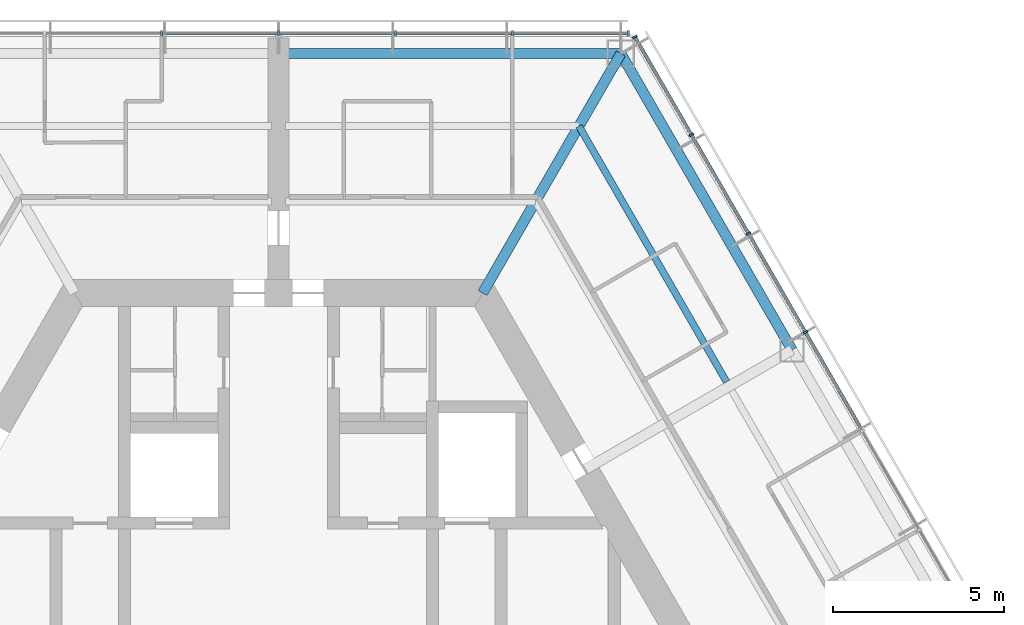
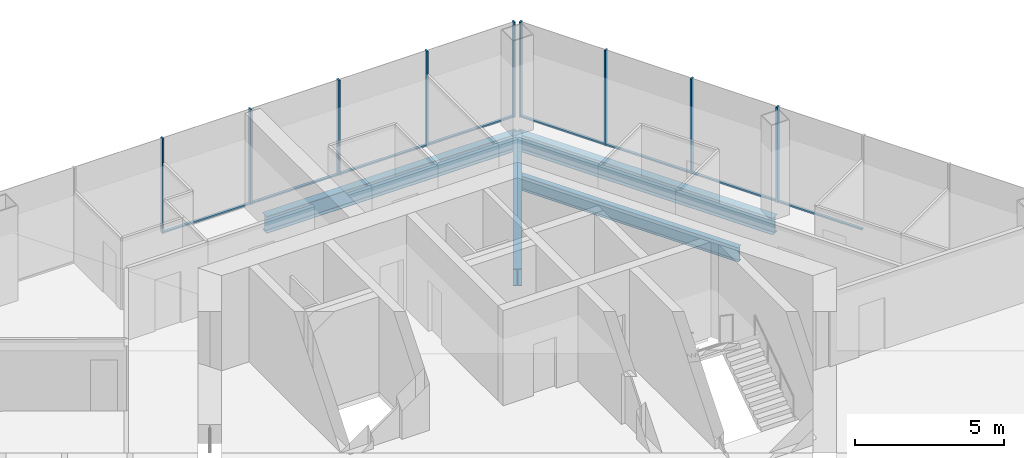
# One storey, part 7 of 15: 17 members, 4 beams, 2 elements without a shape of their own.
"""IFC4 building model written with IfcOpenShell, lengths in metres."""

from ifc_helpers import new_model, si_unit, direction, frame, origin, origin_2d, place, context, subcontext, project, spatial, rectangle, i_section, extrude, material, material_profile, profile_set, type_object, element, aggregate, save


model = new_model("IFC4")

# Units and contexts
model_context = context("Model", 3, precision=1e-05, world=origin(), true_north=direction((0.0, 1.0)))
body_context = subcontext(model_context, "Body", "Model", "MODEL_VIEW")
ifc_project = project(units=[si_unit("LENGTHUNIT", "METRE"), si_unit("AREAUNIT", "SQUARE_METRE"), si_unit("VOLUMEUNIT", "CUBIC_METRE"), si_unit("PLANEANGLEUNIT", "RADIAN"), si_unit("MASSUNIT", "GRAM", prefix="KILO")], contexts=[model_context])

# Site, building, storey
site_placement = place(None, origin())
site = spatial("IfcSite", under=ifc_project, at=site_placement, CompositionType="ELEMENT")
building_placement = place(site_placement, origin())
building = spatial("IfcBuilding", under=site, at=building_placement, Name="Kasaneha Research Tower", CompositionType="ELEMENT")
storey_placement = place(building_placement, frame((0.0, 0.0, 220.60009765625)))
storey = spatial("IfcBuildingStorey", under=building, at=storey_placement, Name="L55", CompositionType="ELEMENT", Elevation=220.60009765625)

# Beam
ifc_material_1 = material(Name="Steel SN490B", Category="steel")
ifc_material_profile_1 = material_profile(ifc_material_1, i_section(OverallWidth=0.199951171875, OverallDepth=0.60009765625, WebThickness=0.010986328125, FlangeThickness=0.01708984375, FilletRadius=0.012939453125, at=origin_2d()), Name="H-600x200x11x17")
ifc_profile_set_1 = profile_set([ifc_material_profile_1], Name="Steel SN490B")
beam_type_1 = type_object("IfcBeamType", Name="B1-3 secondary beam H-600x200x11x17", PredefinedType="JOIST", material=ifc_profile_set_1)
beam_1_placement = place(storey_placement, frame((8.775634765625, 15.199951171875, -0.4501953125), z_axis=(0.500017275495, -0.866015429543, 0.0), x_axis=(0.866015429543, 0.500017275495, 0.0)))
element("IfcBeam", 1, at=beam_1_placement, inside=storey, type_object=beam_type_1, Name="Secondary beam RS030R2 L55", PredefinedType="JOIST", context=body_context, shape_type="SweptSolid", body=[
    extrude(i_section(OverallWidth=0.199951171875, OverallDepth=0.60009765625, WebThickness=0.010986328125, FlangeThickness=0.01708984375, FilletRadius=0.012939453125, at=origin_2d()), origin(), (0.0, 0.0, 1.0), 8.625732421875),
])

# Curtain wall, members
ifc_material_2 = material(Name="Glass and aluminium", Category="aluminium")
curtain_wall_type = type_object("IfcCurtainWallType", Name="High-rise office curtain wall", PredefinedType="USERDEFINED", material=ifc_material_2)
curtain_wall_1_placement = place(storey_placement, origin())
curtain_wall_1 = element("IfcCurtainWall", 2, at=curtain_wall_1_placement, inside=storey, type_object=curtain_wall_type, Name="CW-O3 L55 run 01a", ObjectType="UNITISED CURTAIN WALL", PredefinedType="USERDEFINED")
ifc_material_3 = material(Name="Aluminium 6063-T6", Category="aluminium")
ifc_material_profile_2 = material_profile(ifc_material_3, rectangle(XDim=0.06005859375, YDim=0.139892578125, at=origin_2d()), Name="CW-O3 mullion 60x140")
ifc_profile_set_2 = profile_set([ifc_material_profile_2], Name="Aluminium 6063-T6")
member_type_1 = type_object("IfcMemberType", Name="CW-O3 mullion", PredefinedType="MULLION", material=ifc_profile_set_2)
member_1_placement = place(storey_placement, frame((15.392822265625, 9.179931640625, 0.0), z_axis=(0.0, 0.0, 1.0), x_axis=(-0.499999979232, 0.866025415775, 0.0)))
member_1 = element("IfcMember", 3, at=member_1_placement, type_object=member_type_1, Name="CW-O3 mullion 4", PredefinedType="MULLION", context=body_context, shape_type="SweptSolid", body=[
    extrude(rectangle(XDim=0.06005859375, YDim=0.139892578125, at=origin_2d()), origin(), (0.0, 0.0, 1.0), 3.89990234375),
])
member_2_placement = place(storey_placement, frame((13.727294921875, 12.064453125, 0.0), z_axis=(0.0, 0.0, 1.0), x_axis=(-0.499999979232, 0.866025415775, 0.0)))
member_2 = element("IfcMember", 4, at=member_2_placement, type_object=member_type_1, Name="CW-O3 mullion 5", PredefinedType="MULLION", context=body_context, shape_type="SweptSolid", body=[
    extrude(rectangle(XDim=0.06005859375, YDim=0.139892578125, at=origin_2d()), origin(), (0.0, 0.0, 1.0), 3.89990234375),
])
member_3_placement = place(storey_placement, frame((12.061767578125, 14.94921875, 0.0), z_axis=(0.0, 0.0, 1.0), x_axis=(-0.499999979232, 0.866025415775, 0.0)))
member_3 = element("IfcMember", 5, at=member_3_placement, type_object=member_type_1, Name="CW-O3 mullion 6", PredefinedType="MULLION", context=body_context, shape_type="SweptSolid", body=[
    extrude(rectangle(XDim=0.06005859375, YDim=0.139892578125, at=origin_2d()), origin(), (0.0, 0.0, 1.0), 3.89990234375),
])
member_4_placement = place(storey_placement, frame((10.411376953125, 17.807861328125, 0.0), z_axis=(0.0, 0.0, 1.0), x_axis=(-0.499999979232, 0.866025415775, 0.0)))
member_4 = element("IfcMember", 6, at=member_4_placement, type_object=member_type_1, Name="CW-O3 mullion 7", PredefinedType="MULLION", context=body_context, shape_type="SweptSolid", body=[
    extrude(rectangle(XDim=0.06005859375, YDim=0.139892578125, at=origin_2d()), origin(), (0.0, 0.0, 1.0), 3.89990234375),
])

curtain_wall_2_placement = place(storey_placement, origin())
curtain_wall_2 = element("IfcCurtainWall", 7, at=curtain_wall_2_placement, inside=storey, type_object=curtain_wall_type, Name="CW-O3 L55 run 02a", ObjectType="UNITISED CURTAIN WALL", PredefinedType="USERDEFINED")
member_5_placement = place(storey_placement, frame((10.21630859375, 17.92041015625, 0.0), z_axis=(0.0, 0.0, 1.0), x_axis=(-1.0, 0.0, 0.0)))
member_5 = element("IfcMember", 8, at=member_5_placement, type_object=member_type_1, Name="CW-O3 mullion 1", PredefinedType="MULLION", context=body_context, shape_type="SweptSolid", body=[
    extrude(rectangle(XDim=0.06005859375, YDim=0.139892578125, at=origin_2d()), origin(), (0.0, 0.0, 1.0), 3.89990234375),
])
member_6_placement = place(storey_placement, frame((6.8310546875, 17.92041015625, 0.0), z_axis=(0.0, 0.0, 1.0), x_axis=(-1.0, 0.0, 0.0)))
member_6 = element("IfcMember", 9, at=member_6_placement, type_object=member_type_1, Name="CW-O3 mullion 2", PredefinedType="MULLION", context=body_context, shape_type="SweptSolid", body=[
    extrude(rectangle(XDim=0.06005859375, YDim=0.139892578125, at=origin_2d()), origin(), (0.0, 0.0, 1.0), 3.89990234375),
])
member_7_placement = place(storey_placement, frame((3.41552734375, 17.92041015625, 0.0), z_axis=(0.0, 0.0, 1.0), x_axis=(-1.0, 0.0, 0.0)))
member_7 = element("IfcMember", 10, at=member_7_placement, type_object=member_type_1, Name="CW-O3 mullion 3", PredefinedType="MULLION", context=body_context, shape_type="SweptSolid", body=[
    extrude(rectangle(XDim=0.06005859375, YDim=0.139892578125, at=origin_2d()), origin(), (0.0, 0.0, 1.0), 3.89990234375),
])
member_8_placement = place(storey_placement, frame((0.0, 17.92041015625, 0.0), z_axis=(0.0, 0.0, 1.0), x_axis=(-1.0, 0.0, 0.0)))
member_8 = element("IfcMember", 11, at=member_8_placement, type_object=member_type_1, Name="CW-O3 mullion 4", PredefinedType="MULLION", context=body_context, shape_type="SweptSolid", body=[
    extrude(rectangle(XDim=0.06005859375, YDim=0.139892578125, at=origin_2d()), origin(), (0.0, 0.0, 1.0), 3.89990234375),
])
member_9_placement = place(storey_placement, frame((-3.41552734375, 17.92041015625, 0.0), z_axis=(0.0, 0.0, 1.0), x_axis=(-1.0, 0.0, 0.0)))
member_9 = element("IfcMember", 12, at=member_9_placement, type_object=member_type_1, Name="CW-O3 mullion 5", PredefinedType="MULLION", context=body_context, shape_type="SweptSolid", body=[
    extrude(rectangle(XDim=0.06005859375, YDim=0.139892578125, at=origin_2d()), origin(), (0.0, 0.0, 1.0), 3.89990234375),
])

# Member
ifc_material_4 = material(Name="Aluminium 6063-T6", Category="aluminium")
ifc_material_profile_3 = material_profile(ifc_material_4, rectangle(XDim=0.10009765625, YDim=0.06005859375, at=origin_2d()), Name="CW-O3 transom 100x60")
ifc_profile_set_3 = profile_set([ifc_material_profile_3], Name="Aluminium 6063-T6")
member_type_2 = type_object("IfcMemberType", Name="CW-O3 transom", PredefinedType="USERDEFINED", material=ifc_profile_set_3)
member_10_placement = place(storey_placement, frame((17.043212890625, 6.3212890625, 0.02978515625), z_axis=(-0.50003259116, 0.866006586452, 0.0), x_axis=(-0.866006586452, -0.50003259116, 0.0)))
member_10 = element("IfcMember", 13, at=member_10_placement, type_object=member_type_2, Name="CW-O3 transom 3", ObjectType="TRANSOM", PredefinedType="USERDEFINED", context=body_context, shape_type="SweptSolid", body=[
    extrude(rectangle(XDim=0.10009765625, YDim=0.06005859375, at=origin_2d()), origin(), (0.0, 0.0, 1.0), 3.270751953125),
])

member_11_placement = place(storey_placement, frame((15.3779296875, 9.205810546875, 0.02978515625), z_axis=(-0.500000270186, 0.866025247793, 0.0), x_axis=(-0.866025247793, -0.500000270186, 0.0)))
member_11 = element("IfcMember", 14, at=member_11_placement, type_object=member_type_2, Name="CW-O3 transom 4", ObjectType="TRANSOM", PredefinedType="USERDEFINED", context=body_context, shape_type="SweptSolid", body=[
    extrude(rectangle(XDim=0.10009765625, YDim=0.06005859375, at=origin_2d()), origin(), (0.0, 0.0, 1.0), 3.27099609375),
])

member_12_placement = place(storey_placement, frame((13.71240234375, 12.090576171875, 0.02978515625), z_axis=(-0.500000270186, 0.866025247793, 0.0), x_axis=(-0.866025247793, -0.500000270186, 0.0)))
member_12 = element("IfcMember", 15, at=member_12_placement, type_object=member_type_2, Name="CW-O3 transom 5", ObjectType="TRANSOM", PredefinedType="USERDEFINED", context=body_context, shape_type="SweptSolid", body=[
    extrude(rectangle(XDim=0.10009765625, YDim=0.06005859375, at=origin_2d()), origin(), (0.0, 0.0, 1.0), 3.27099609375),
])

member_13_placement = place(storey_placement, frame((12.046875, 14.97509765625, 0.02978515625), z_axis=(-0.499955025697, 0.866051368154, 0.0), x_axis=(-0.866051368154, -0.499955025697, 0.0)))
member_13 = element("IfcMember", 16, at=member_13_placement, type_object=member_type_2, Name="CW-O3 transom 6", ObjectType="TRANSOM", PredefinedType="USERDEFINED", context=body_context, shape_type="SweptSolid", body=[
    extrude(rectangle(XDim=0.10009765625, YDim=0.06005859375, at=origin_2d()), origin(), (0.0, 0.0, 1.0), 3.240966796875),
])

aggregate(curtain_wall_1, [member_1, member_2, member_3, member_4, member_10, member_11, member_12, member_13])

member_14_placement = place(storey_placement, frame((10.1865234375, 17.92041015625, 0.02978515625), z_axis=(-1.0, 0.0, 0.0), x_axis=(0.0, -1.0, 0.0)))
member_14 = element("IfcMember", 17, at=member_14_placement, type_object=member_type_2, Name="CW-O3 transom 1", ObjectType="TRANSOM", PredefinedType="USERDEFINED", context=body_context, shape_type="SweptSolid", body=[
    extrude(rectangle(XDim=0.10009765625, YDim=0.06005859375, at=origin_2d()), origin(), (0.0, 0.0, 1.0), 3.32568359375),
])

member_15_placement = place(storey_placement, frame((6.801025390625, 17.92041015625, 0.02978515625), z_axis=(-1.0, 0.0, 0.0), x_axis=(0.0, -1.0, 0.0)))
member_15 = element("IfcMember", 18, at=member_15_placement, type_object=member_type_2, Name="CW-O3 transom 2", ObjectType="TRANSOM", PredefinedType="USERDEFINED", context=body_context, shape_type="SweptSolid", body=[
    extrude(rectangle(XDim=0.10009765625, YDim=0.06005859375, at=origin_2d()), origin(), (0.0, 0.0, 1.0), 3.35546875),
])

member_16_placement = place(storey_placement, frame((3.385498046875, 17.92041015625, 0.02978515625), z_axis=(-1.0, 0.0, 0.0), x_axis=(0.0, -1.0, 0.0)))
member_16 = element("IfcMember", 19, at=member_16_placement, type_object=member_type_2, Name="CW-O3 transom 3", ObjectType="TRANSOM", PredefinedType="USERDEFINED", context=body_context, shape_type="SweptSolid", body=[
    extrude(rectangle(XDim=0.10009765625, YDim=0.06005859375, at=origin_2d()), origin(), (0.0, 0.0, 1.0), 3.35546875),
])

member_17_placement = place(storey_placement, frame((-0.030029296875, 17.92041015625, 0.02978515625), z_axis=(-1.0, 0.0, 0.0), x_axis=(0.0, -1.0, 0.0)))
member_17 = element("IfcMember", 20, at=member_17_placement, type_object=member_type_2, Name="CW-O3 transom 4", ObjectType="TRANSOM", PredefinedType="USERDEFINED", context=body_context, shape_type="SweptSolid", body=[
    extrude(rectangle(XDim=0.10009765625, YDim=0.06005859375, at=origin_2d()), origin(), (0.0, 0.0, 1.0), 3.35546875),
])

aggregate(curtain_wall_2, [member_5, member_6, member_7, member_8, member_9, member_14, member_15, member_16, member_17])

# Beams
ifc_material_5 = material(Name="Steel SN490B", Category="steel")
ifc_material_profile_4 = material_profile(ifc_material_5, i_section(OverallWidth=0.300048828125, OverallDepth=0.699951171875, WebThickness=0.012939453125, FlangeThickness=0.02392578125, FilletRadius=0.01806640625, at=origin_2d()), Name="H-700x300x13x24")
ifc_profile_set_4 = profile_set([ifc_material_profile_4], Name="Steel SN490B")
beam_type_2 = type_object("IfcBeamType", Name="G1-3 radial girder H-700x300x13x24", PredefinedType="BEAM", material=ifc_profile_set_4)
beam_2_placement = place(storey_placement, frame((5.961181640625, 10.324951171875, -0.5), z_axis=(0.49999105496, 0.866030568144, 0.0), x_axis=(-0.866030568144, 0.49999105496, 0.0)))
element("IfcBeam", 21, at=beam_2_placement, inside=storey, type_object=beam_type_2, Name="Radial girder RV060 L55", PredefinedType="BEAM", context=body_context, shape_type="SweptSolid", body=[
    extrude(i_section(OverallWidth=0.300048828125, OverallDepth=0.699951171875, WebThickness=0.012939453125, FlangeThickness=0.02392578125, FilletRadius=0.01806640625, at=origin_2d()), origin(), (0.0, 0.0, 1.0), 8.077880859375),
])
ifc_material_6 = material(Name="Steel SN490B", Category="steel")
ifc_material_profile_5 = material_profile(ifc_material_6, i_section(OverallWidth=0.300048828125, OverallDepth=0.69189453125, WebThickness=0.012939453125, FlangeThickness=0.02001953125, FilletRadius=0.01806640625, at=origin_2d()), Name="H-692x300x13x20")
ifc_profile_set_5 = profile_set([ifc_material_profile_5], Name="Steel SN490B")
beam_type_3 = type_object("IfcBeamType", Name="G3-3 plate edge girder H-692x300x13x20", PredefinedType="BEAM", material=ifc_profile_set_5)
beam_3_placement = place(storey_placement, frame((10.0, 17.320556640625, -0.49609375), z_axis=(-1.0, 0.0, 0.0), x_axis=(0.0, -1.0, 0.0)))
element("IfcBeam", 22, at=beam_3_placement, inside=storey, type_object=beam_type_3, Name="Plate edge girder PEAP L55", PredefinedType="BEAM", context=body_context, shape_type="SweptSolid", body=[
    extrude(i_section(OverallWidth=0.300048828125, OverallDepth=0.69189453125, WebThickness=0.012939453125, FlangeThickness=0.02001953125, FilletRadius=0.01806640625, at=origin_2d()), origin(), (0.0, 0.0, 1.0), 9.800048828125),
])
ifc_material_7 = material(Name="Steel SN490B", Category="steel")
ifc_material_profile_6 = material_profile(ifc_material_7, i_section(OverallWidth=0.300048828125, OverallDepth=0.69189453125, WebThickness=0.012939453125, FlangeThickness=0.02001953125, FilletRadius=0.01806640625, at=origin_2d()), Name="H-692x300x13x20")
ifc_profile_set_6 = profile_set([ifc_material_profile_6], Name="Steel SN490B")
beam_type_4 = type_object("IfcBeamType", Name="SB1-3 spandrel beam H-692x300x13x20", PredefinedType="SPANDREL", material=ifc_profile_set_6)
beam_4_placement = place(storey_placement, frame((10.0, 17.320556640625, -0.49609375), z_axis=(0.499993662806, -0.866029062534, 0.0), x_axis=(0.866029062534, 0.499993662806, 0.0)))
element("IfcBeam", 23, at=beam_4_placement, inside=storey, type_object=beam_type_4, Name="Spandrel beam SR030R L55", PredefinedType="SPANDREL", context=body_context, shape_type="SweptSolid", body=[
    extrude(i_section(OverallWidth=0.300048828125, OverallDepth=0.69189453125, WebThickness=0.012939453125, FlangeThickness=0.02001953125, FilletRadius=0.01806640625, at=origin_2d()), origin(), (0.0, 0.0, 1.0), 10.000244140625),
])

save(model, "model.ifc")
